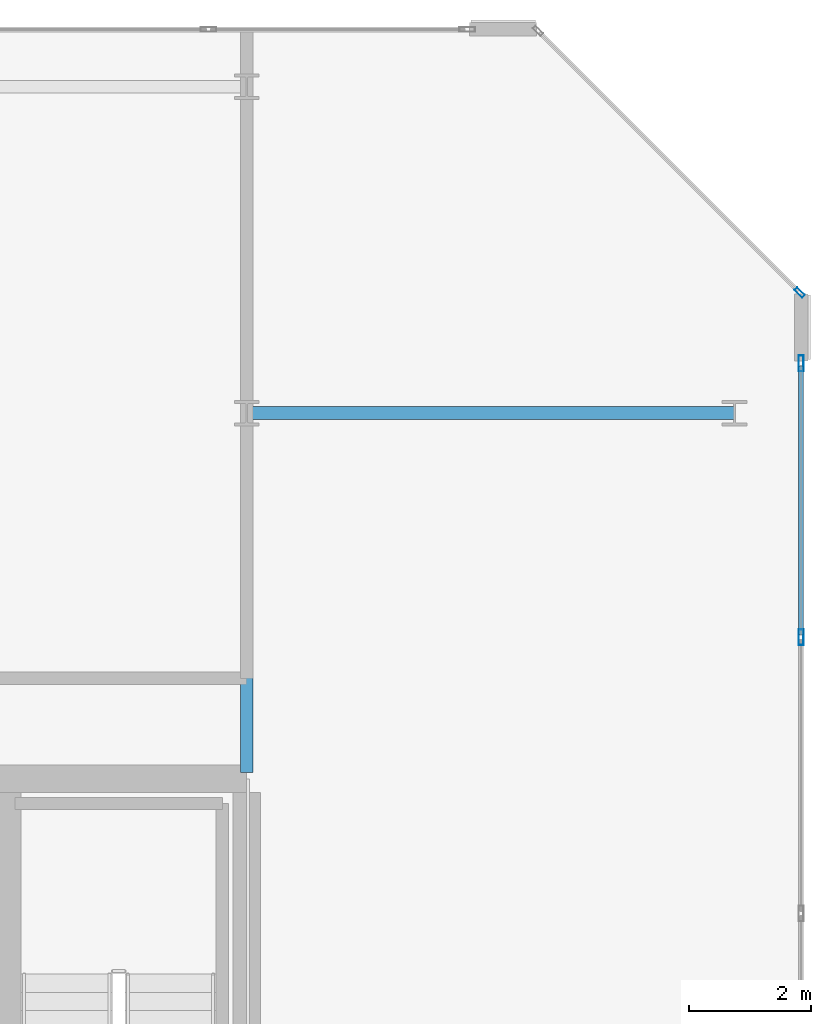
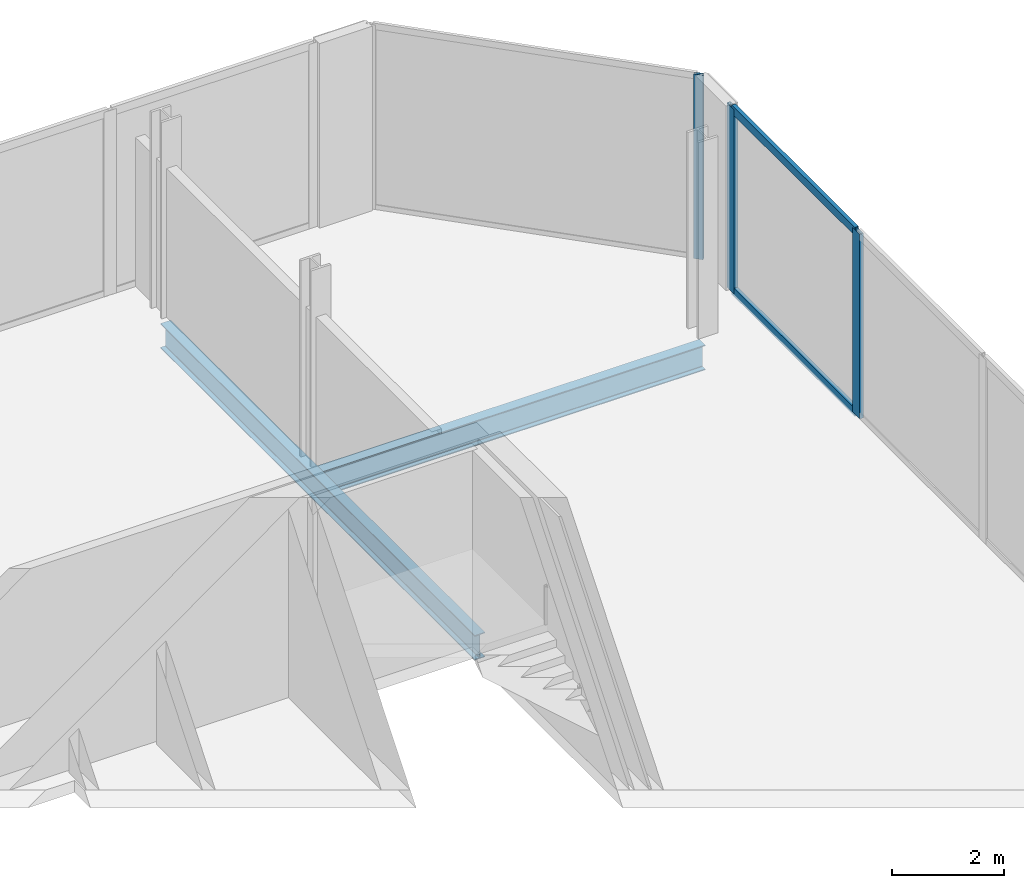
# One storey, part 11 of 16: 5 members, 2 beams, 2 elements without a shape of their own.
"""IFC4 building model written with IfcOpenShell, lengths in metres."""

from ifc_helpers import new_model, si_unit, direction, frame, origin, origin_2d, place, context, subcontext, project, spatial, hollow_rectangle, i_section, extrude, material, layer, layer_set, material_profile, profile_set, type_object, element, aggregate, save


model = new_model("IFC4")

# Units and contexts
model_context = context("Model", 3, precision=1e-05, world=origin(), true_north=direction((0.0, 1.0)))
body_context = subcontext(model_context, "Body", "Model", "MODEL_VIEW")
ifc_project = project(units=[si_unit("LENGTHUNIT", "METRE"), si_unit("AREAUNIT", "SQUARE_METRE"), si_unit("VOLUMEUNIT", "CUBIC_METRE"), si_unit("PLANEANGLEUNIT", "RADIAN"), si_unit("MASSUNIT", "GRAM", prefix="KILO")], contexts=[model_context])

# Site, building, storey
site_placement = place(None, origin())
site = spatial("IfcSite", under=ifc_project, at=site_placement, CompositionType="ELEMENT")
building_placement = place(site_placement, origin())
building = spatial("IfcBuilding", under=site, at=building_placement, Name="Tanjung Sevakor Pilgrim Tower", CompositionType="ELEMENT")
storey_placement = place(building_placement, frame((0.0, 0.0, 278.85009765625)))
storey = spatial("IfcBuildingStorey", under=building, at=storey_placement, Name="L78", CompositionType="ELEMENT", Elevation=278.85009765625)

# Beams
ifc_material_1 = material(Name="Steel S355J2", Category="steel")
ifc_material_profile_1 = material_profile(ifc_material_1, i_section(OverallWidth=0.2119140625, OverallDepth=0.54443359375, WebThickness=0.0126953125, FlangeThickness=0.021240234375, FilletRadius=0.0126953125, at=origin_2d()))
ifc_profile_set_1 = profile_set([ifc_material_profile_1], Name="Steel S355J2")
beam_type_1 = type_object("IfcBeamType", Name="BM-B-G5-UB_533x210x122", PredefinedType="BEAM", material=ifc_profile_set_1)
beam_1_placement = place(storey_placement, frame((90.0, 48.60009765625, -0.532470703125), z_axis=(1.0, 0.0, 0.0), x_axis=(0.0, 1.0, 0.0)))
element("IfcBeam", 1, at=beam_1_placement, inside=storey, type_object=beam_type_1, Name="L78 East Peak Wing Girder Y48.6", PredefinedType="BEAM", context=body_context, shape_type="SweptSolid", body=[
    extrude(i_section(OverallWidth=0.2119140625, OverallDepth=0.54443359375, WebThickness=0.0126953125, FlangeThickness=0.021240234375, FilletRadius=0.0126953125, at=origin_2d()), origin(), (0.0, 0.0, 1.0), 8.0),
])
ifc_material_2 = material(Name="Steel S355J2", Category="steel")
ifc_material_profile_2 = material_profile(ifc_material_2, i_section(OverallWidth=0.210693359375, OverallDepth=0.53955078125, WebThickness=0.01171875, FlangeThickness=0.018798828125, FilletRadius=0.0126953125, at=origin_2d()))
ifc_profile_set_2 = profile_set([ifc_material_profile_2], Name="Steel S355J2")
beam_type_2 = type_object("IfcBeamType", Name="BM-B-G6-UB_533x210x109", PredefinedType="BEAM", material=ifc_profile_set_2)
beam_2_placement = place(storey_placement, frame((90.0, 42.7060546875, -0.52978515625), z_axis=(0.0, 1.0, 0.0), x_axis=(-1.0, 0.0, 0.0)))
element("IfcBeam", 2, at=beam_2_placement, inside=storey, type_object=beam_type_2, Name="L78 EAST Girder 010", PredefinedType="BEAM", context=body_context, shape_type="SweptSolid", body=[
    extrude(i_section(OverallWidth=0.210693359375, OverallDepth=0.53955078125, WebThickness=0.01171875, FlangeThickness=0.018798828125, FilletRadius=0.0126953125, at=origin_2d()), origin(), (0.0, 0.0, 1.0), 11.243896484375),
])

# Curtain wall, member
ifc_material_3 = material(Name="Aluminium 6063-T6 and Low-E Glass", Category="aluminium")
ifc_layer_1 = layer(ifc_material_3, 0.179931640625)
ifc_layer_set_1 = layer_set([ifc_layer_1], Name="CW-SYS-CHAM")
curtain_wall_type_1 = type_object("IfcCurtainWallType", Name="CW-SYS-CHAM", PredefinedType="NOTDEFINED", material=ifc_layer_set_1)
curtain_wall_1_placement = place(storey_placement, origin())
curtain_wall_1 = element("IfcCurtainWall", 3, at=curtain_wall_1_placement, inside=storey, type_object=curtain_wall_type_1, Name="L78 Curtain Wall CW-CHM-L78-EAST-3", PredefinedType="NOTDEFINED")
ifc_material_4 = material(Name="Aluminium 6063-T6", Category="aluminium")
ifc_material_profile_3 = material_profile(ifc_material_4, hollow_rectangle(XDim=0.06494140625, YDim=0.179931640625, WallThickness=0.00390625, at=origin_2d()))
ifc_profile_set_3 = profile_set([ifc_material_profile_3], Name="Aluminium 6063-T6")
member_type_1 = type_object("IfcMemberType", Name="TYPE-CWM-1", PredefinedType="MULLION", material=ifc_profile_set_3)
member_1_placement = place(storey_placement, frame((99.067138671875, 50.577392578125, 0.0), z_axis=(0.0, 0.0, 1.0), x_axis=(-0.707106781187, -0.707106781187, 0.0)))
member_1 = element("IfcMember", 4, at=member_1_placement, type_object=member_type_1, Name="CW-CHM mullion 1", PredefinedType="MULLION", context=body_context, shape_type="SweptSolid", body=[
    extrude(hollow_rectangle(XDim=0.06494140625, YDim=0.179931640625, WallThickness=0.00390625, at=origin_2d()), origin(), (0.0, 0.0, 1.0), 4.02978515625),
])
aggregate(curtain_wall_1, [member_1])

# Curtain wall, members
ifc_material_5 = material(Name="Aluminium 6063-T6 and Low-E Glass", Category="aluminium")
ifc_layer_2 = layer(ifc_material_5, 0.219970703125)
ifc_layer_set_2 = layer_set([ifc_layer_2], Name="CW-SYS-CRNE")
curtain_wall_type_2 = type_object("IfcCurtainWallType", Name="CW-SYS-CRNE", PredefinedType="NOTDEFINED", material=ifc_layer_set_2)
curtain_wall_2_placement = place(storey_placement, origin())
curtain_wall_2 = element("IfcCurtainWall", 5, at=curtain_wall_2_placement, inside=storey, type_object=curtain_wall_type_2, Name="L78 Curtain Wall CW-CRN-L78-EAST-2-1", PredefinedType="NOTDEFINED")
ifc_material_6 = material(Name="Aluminium 6063-T6", Category="aluminium")
ifc_material_profile_4 = material_profile(ifc_material_6, hollow_rectangle(XDim=0.080078125, YDim=0.260009765625, WallThickness=0.0048828125, at=origin_2d()))
ifc_profile_set_4 = profile_set([ifc_material_profile_4], Name="Aluminium 6063-T6")
member_type_2 = type_object("IfcMemberType", Name="TYPE-CWM-3", PredefinedType="MULLION", material=ifc_profile_set_4)
member_2_placement = place(storey_placement, frame((99.090087890625, 44.924560546875, 0.0), z_axis=(0.0, 0.0, 1.0), x_axis=(-1.0, 0.0, 0.0)))
member_2 = element("IfcMember", 6, at=member_2_placement, type_object=member_type_2, Name="CW-CRE mullion 7", PredefinedType="MULLION", context=body_context, shape_type="SweptSolid", body=[
    extrude(hollow_rectangle(XDim=0.080078125, YDim=0.260009765625, WallThickness=0.0048828125, at=origin_2d()), origin(), (0.0, 0.0, 1.0), 4.02978515625),
])
member_3_placement = place(storey_placement, frame((99.090087890625, 49.414306640625, 0.0), z_axis=(0.0, 0.0, 1.0), x_axis=(-1.0, 0.0, 0.0)))
member_3 = element("IfcMember", 7, at=member_3_placement, type_object=member_type_2, Name="CW-CRE mullion 8", PredefinedType="MULLION", context=body_context, shape_type="SweptSolid", body=[
    extrude(hollow_rectangle(XDim=0.080078125, YDim=0.260009765625, WallThickness=0.0048828125, at=origin_2d()), origin(), (0.0, 0.0, 1.0), 4.02978515625),
])
ifc_material_7 = material(Name="Aluminium 6063-T6", Category="aluminium")
ifc_material_profile_5 = material_profile(ifc_material_7, hollow_rectangle(XDim=0.080078125, YDim=0.179931640625, WallThickness=0.0048828125, at=origin_2d()))
ifc_profile_set_5 = profile_set([ifc_material_profile_5], Name="Aluminium 6063-T6")
member_type_3 = type_object("IfcMemberType", Name="TYPE-CWT-3", PredefinedType="USERDEFINED", material=ifc_profile_set_5)
member_4_placement = place(storey_placement, frame((99.090087890625, 44.964599609375, 0.039794921875), z_axis=(0.0, 1.0, 0.0), x_axis=(-1.0, 0.0, 0.0)))
member_4 = element("IfcMember", 8, at=member_4_placement, type_object=member_type_3, Name="CW-CRE transom 7.1", ObjectType="TRANSOM", PredefinedType="USERDEFINED", context=body_context, shape_type="SweptSolid", body=[
    extrude(hollow_rectangle(XDim=0.080078125, YDim=0.179931640625, WallThickness=0.0048828125, at=origin_2d()), origin(), (0.0, 0.0, 1.0), 4.409912109375),
])
member_5_placement = place(storey_placement, frame((99.090087890625, 44.964599609375, 3.989990234375), z_axis=(0.0, 1.0, 0.0), x_axis=(-1.0, 0.0, 0.0)))
member_5 = element("IfcMember", 9, at=member_5_placement, type_object=member_type_3, Name="CW-CRE transom 7.2", ObjectType="TRANSOM", PredefinedType="USERDEFINED", context=body_context, shape_type="SweptSolid", body=[
    extrude(hollow_rectangle(XDim=0.080078125, YDim=0.179931640625, WallThickness=0.0048828125, at=origin_2d()), origin(), (0.0, 0.0, 1.0), 4.409912109375),
])
aggregate(curtain_wall_2, [member_2, member_3, member_4, member_5])

save(model, "model.ifc")
